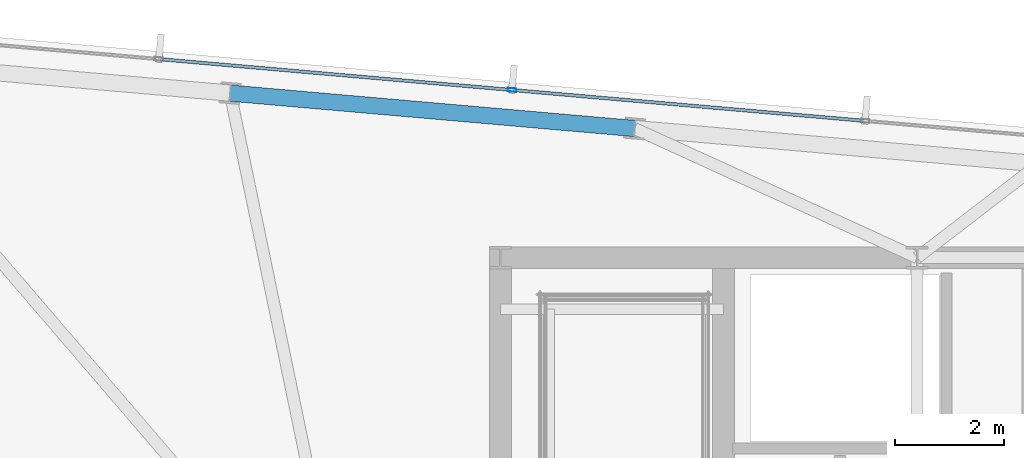
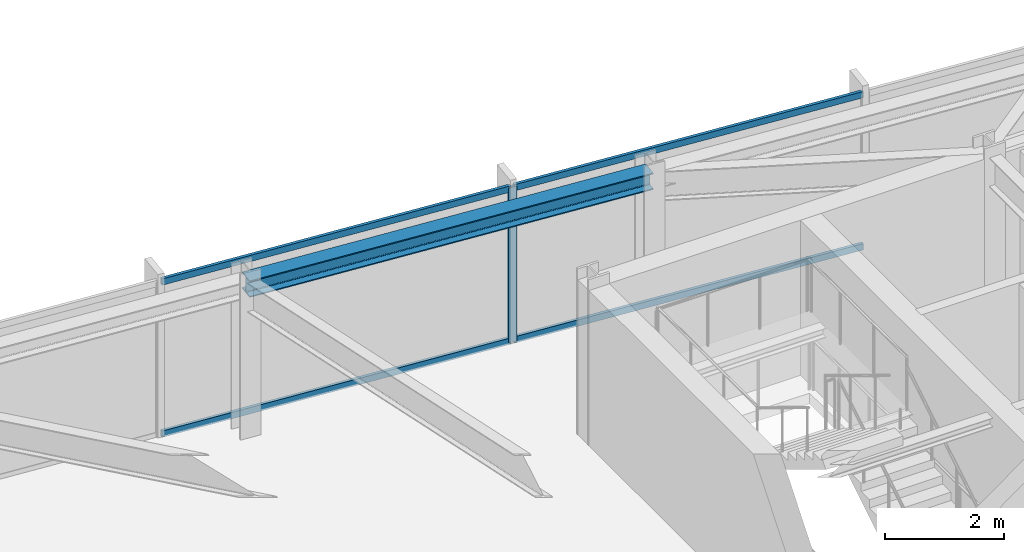
# One storey, part 24 of 32: 5 members, 1 beam, 1 element without a shape of its own.
"""IFC4 building model written with IfcOpenShell, lengths in metres."""

from ifc_helpers import new_model, si_unit, direction, frame, origin, origin_2d, place, context, subcontext, project, spatial, hollow_rectangle, i_section, extrude, material, material_profile, profile_set, type_object, element, aggregate, save


model = new_model("IFC4")

# Units and contexts
model_context = context("Model", 3, precision=1e-05, world=origin(), true_north=direction((0.0, 1.0)))
body_context = subcontext(model_context, "Body", "Model", "MODEL_VIEW")
ifc_project = project(units=[si_unit("LENGTHUNIT", "METRE"), si_unit("AREAUNIT", "SQUARE_METRE"), si_unit("VOLUMEUNIT", "CUBIC_METRE"), si_unit("PLANEANGLEUNIT", "RADIAN"), si_unit("MASSUNIT", "GRAM", prefix="KILO")], contexts=[model_context])

# Site, building, storey
site_placement = place(None, origin())
site = spatial("IfcSite", under=ifc_project, at=site_placement, CompositionType="ELEMENT")
building_placement = place(site_placement, origin())
building = spatial("IfcBuilding", under=site, at=building_placement, Name="Yelkora Congress Tower", CompositionType="ELEMENT")
storey_placement = place(building_placement, frame((0.0, 0.0, 276.10009765625)))
storey = spatial("IfcBuildingStorey", under=building, at=storey_placement, Name="L77", CompositionType="ELEMENT", Elevation=276.10009765625)

# Beam
ifc_material_1 = material(Name="Steel S355J2", Category="steel")
ifc_material_profile_1 = material_profile(ifc_material_1, i_section(OverallWidth=0.300048828125, OverallDepth=0.340087890625, WebThickness=0.011962890625, FlangeThickness=0.021484375, FilletRadius=0.027099609375, at=origin_2d()), Name="HEB 340")
ifc_profile_set_1 = profile_set([ifc_material_profile_1], Name="Steel S355J2")
beam_type = type_object("IfcBeamType", Name="BM-SPAN-HEB340", PredefinedType="SPANDREL", material=ifc_profile_set_1)
beam_placement = place(storey_placement, frame((25.513916015625, 48.57958984375, 3.010009765625), z_axis=(-0.996196266663, 0.087137812034, 0.0), x_axis=(-0.087137812034, -0.996196266663, 0.0)))
element("IfcBeam", 1, at=beam_placement, inside=storey, type_object=beam_type, Name="L77 Perimeter Beam 11", PredefinedType="SPANDREL", context=body_context, shape_type="SweptSolid", body=[
    extrude(i_section(OverallWidth=0.300048828125, OverallDepth=0.340087890625, WebThickness=0.011962890625, FlangeThickness=0.021484375, FilletRadius=0.027099609375, at=origin_2d()), origin(), (0.0, 0.0, 1.0), 7.483642578125),
])

# Curtain wall, members
ifc_material_2 = material(Name="Anodised aluminium and insulated glass", Category="aluminium")
curtain_wall_type = type_object("IfcCurtainWallType", Name="CW-SYS-B5", PredefinedType="NOTDEFINED", material=ifc_material_2)
curtain_wall_placement = place(storey_placement, origin())
curtain_wall = element("IfcCurtainWall", 2, at=curtain_wall_placement, inside=storey, type_object=curtain_wall_type, Name="L77 Unitised Curtain Wall 10", PredefinedType="NOTDEFINED")
ifc_material_3 = material(Name="Anodised aluminium 6063-T6", Category="aluminium")
ifc_material_profile_2 = material_profile(ifc_material_3, hollow_rectangle(XDim=0.06494140625, YDim=0.159912109375, WallThickness=0.00390625, at=origin_2d()), Name="ALU 65x160x4")
ifc_profile_set_2 = profile_set([ifc_material_profile_2], Name="Anodised aluminium 6063-T6")
member_type_1 = type_object("IfcMemberType", Name="MEM-ML-B5", PredefinedType="MULLION", material=ifc_profile_set_2)
member_1_placement = place(storey_placement, frame((23.253173828125, 49.289306640625, 0.0), z_axis=(0.0, 0.0, 1.0), x_axis=(0.087156639893, 0.996194619601, 0.0)))
member_1 = element("IfcMember", 3, at=member_1_placement, type_object=member_type_1, Name="CW-B5 mullion 3", PredefinedType="MULLION", context=body_context, shape_type="SweptSolid", body=[
    extrude(hollow_rectangle(XDim=0.06494140625, YDim=0.159912109375, WallThickness=0.00390625, at=origin_2d()), origin(), (0.0, 0.0, 1.0), 3.179931640625),
])
ifc_material_profile_3 = material_profile(ifc_material_3, hollow_rectangle(XDim=0.06005859375, YDim=0.1298828125, WallThickness=0.00390625, at=origin_2d()), Name="ALU 60x130x4")
ifc_profile_set_3 = profile_set([ifc_material_profile_3], Name="Anodised aluminium 6063-T6")
member_type_2 = type_object("IfcMemberType", Name="MEM-TR-B5", PredefinedType="USERDEFINED", material=ifc_profile_set_3)
member_2_placement = place(storey_placement, frame((16.779052734375, 49.855712890625, 0.02978515625), z_axis=(0.996195971174, -0.087141190126, 0.0), x_axis=(0.087141190126, 0.996195971174, 0.0)))
member_2 = element("IfcMember", 4, at=member_2_placement, type_object=member_type_2, Name="CW-B5 transom 2.1", ObjectType="TRANSOM", PredefinedType="USERDEFINED", context=body_context, shape_type="SweptSolid", body=[
    extrude(hollow_rectangle(XDim=0.06005859375, YDim=0.1298828125, WallThickness=0.00390625, at=origin_2d()), origin(), (0.0, 0.0, 1.0), 6.46630859375),
])
member_3_placement = place(storey_placement, frame((16.779052734375, 49.855712890625, 3.14990234375), z_axis=(0.996195971174, -0.087141190126, 0.0), x_axis=(0.087141190126, 0.996195971174, 0.0)))
member_3 = element("IfcMember", 5, at=member_3_placement, type_object=member_type_2, Name="CW-B5 transom 2.2", ObjectType="TRANSOM", PredefinedType="USERDEFINED", context=body_context, shape_type="SweptSolid", body=[
    extrude(hollow_rectangle(XDim=0.06005859375, YDim=0.1298828125, WallThickness=0.00390625, at=origin_2d()), origin(), (0.0, 0.0, 1.0), 6.46630859375),
])
member_4_placement = place(storey_placement, frame((23.285400390625, 49.286376953125, 0.02978515625), z_axis=(0.996196257862, -0.087137912649, 0.0), x_axis=(0.087137912649, 0.996196257862, 0.0)))
member_4 = element("IfcMember", 6, at=member_4_placement, type_object=member_type_2, Name="CW-B5 transom 3.1", ObjectType="TRANSOM", PredefinedType="USERDEFINED", context=body_context, shape_type="SweptSolid", body=[
    extrude(hollow_rectangle(XDim=0.06005859375, YDim=0.1298828125, WallThickness=0.00390625, at=origin_2d()), origin(), (0.0, 0.0, 1.0), 6.466552734375),
])
member_5_placement = place(storey_placement, frame((23.285400390625, 49.286376953125, 3.14990234375), z_axis=(0.996196257862, -0.087137912649, 0.0), x_axis=(0.087137912649, 0.996196257862, 0.0)))
member_5 = element("IfcMember", 7, at=member_5_placement, type_object=member_type_2, Name="CW-B5 transom 3.2", ObjectType="TRANSOM", PredefinedType="USERDEFINED", context=body_context, shape_type="SweptSolid", body=[
    extrude(hollow_rectangle(XDim=0.06005859375, YDim=0.1298828125, WallThickness=0.00390625, at=origin_2d()), origin(), (0.0, 0.0, 1.0), 6.466552734375),
])
aggregate(curtain_wall, [member_1, member_2, member_3, member_4, member_5])

save(model, "model.ifc")
